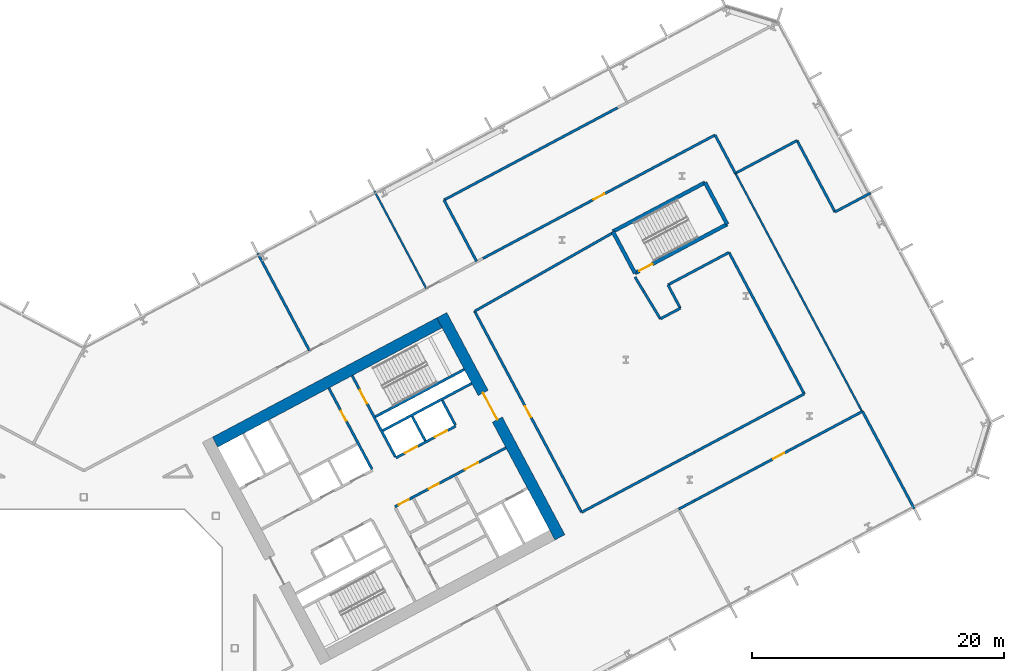
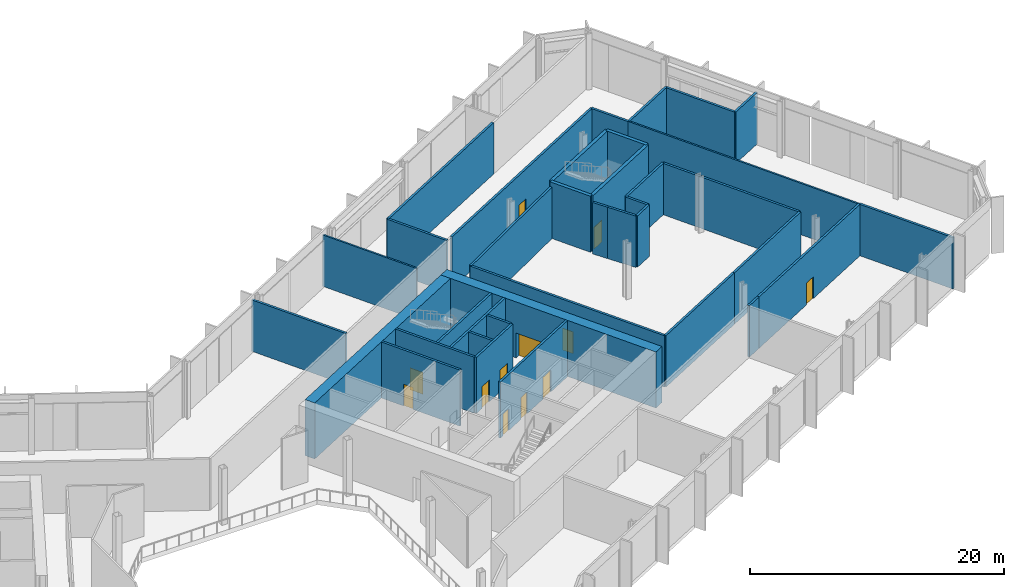
# One storey, part 16 of 31: 37 walls, 12 doors, 12 openings.
"""IFC4 building model written with IfcOpenShell, lengths in metres."""

from ifc_helpers import new_model, si_unit, direction, frame, frame_2d, origin, place, context, subcontext, project, spatial, rectangle, extrude, material, layer, layer_set, type_object, element, fill, save


model = new_model("IFC4")

# Units and contexts
model_context = context("Model", 3, precision=1e-05, world=origin(), true_north=direction((0.0, 1.0)))
body_context = subcontext(model_context, "Body", "Model", "MODEL_VIEW")
ifc_project = project(units=[si_unit("LENGTHUNIT", "METRE"), si_unit("AREAUNIT", "SQUARE_METRE"), si_unit("VOLUMEUNIT", "CUBIC_METRE"), si_unit("PLANEANGLEUNIT", "RADIAN"), si_unit("MASSUNIT", "GRAM", prefix="KILO")], contexts=[model_context])

# Site, building, storey
site_placement = place(None, origin())
site = spatial("IfcSite", under=ifc_project, at=site_placement, CompositionType="ELEMENT")
building_placement = place(site_placement, origin())
building = spatial("IfcBuilding", under=site, at=building_placement, Name="Cormorant Relay Tower", CompositionType="ELEMENT")
storey_placement = place(building_placement, frame((0.0, 0.0, 50.0)))
storey = spatial("IfcBuildingStorey", under=building, at=storey_placement, Name="L09", CompositionType="ELEMENT", Elevation=50.0)

# Wall
ifc_material_1 = material(Name="Concrete 40 MPa", Category="concrete")
ifc_layer_1 = layer(ifc_material_1, 0.199951171875)
ifc_layer_set_1 = layer_set([ifc_layer_1], Name="Core internal wall 200")
wall_type_1 = type_object("IfcWallType", Name="Core internal wall 200", PredefinedType="SOLIDWALL", material=ifc_layer_set_1)
wall_1_placement = place(storey_placement, frame((27.144287109375, 16.471435546875, 0.0), z_axis=(0.0, 0.0, 1.0), x_axis=(-0.469401318492, 0.882984938828, 0.0)))
element("IfcWall", 1, at=wall_1_placement, inside=storey, type_object=wall_type_1, Name="L09 core B shaft and room wall", PredefinedType="SOLIDWALL", context=body_context, shape_type="SweptSolid", body=[
    extrude(rectangle(XDim=2.199951171875, YDim=0.199951171875, at=frame_2d((1.10009765625, 0.0))), origin(), (0.0, 0.0, 1.0), 5.39990234375),
])

# Wall, opening, door
ifc_material_2 = material(Name="Concrete 50 MPa", Category="concrete")
ifc_layer_2 = layer(ifc_material_2, 0.199951171875)
ifc_layer_set_2 = layer_set([ifc_layer_2], Name="Core shaft wall 200")
wall_type_2 = type_object("IfcWallType", Name="Core shaft wall 200", PredefinedType="SHEAR", material=ifc_layer_set_2)
wall_2_placement = place(storey_placement, frame((22.90625, 14.218017578125, 0.0), z_axis=(0.0, 0.0, 1.0), x_axis=(-0.469480409012, 0.88294288918, 0.0)))
wall_2 = element("IfcWall", 2, at=wall_2_placement, inside=storey, type_object=wall_type_2, Name="L09 core B shaft wall", PredefinedType="SHEAR", context=body_context, shape_type="SweptSolid", body=[
    extrude(rectangle(XDim=7.300048828125, YDim=0.199951171875, at=frame_2d((3.64990234375, 0.0))), origin(), (0.0, 0.0, 1.0), 5.39990234375),
])
opening_1_placement = place(wall_2_placement, frame((4.35009765625, 0.0, 0.0)))
opening_1 = element("IfcOpeningElement", 3, at=opening_1_placement, cuts=wall_2, Name="Opening CDD-097", PredefinedType="OPENING", context=body_context, shape_type="SweptSolid", body=[
    extrude(rectangle(XDim=0.89990234375, YDim=2.10009765625, at=frame_2d((0.449951171875, 1.050048828125))), frame((0.0, 0.10986328125, 0.0), z_axis=(0.0, -1.0, 0.0), x_axis=(1.0, 0.0, 0.0)), (0.0, 0.0, 1.0), 0.219970703125),
])
ifc_material_3 = material(Name="Steel fire door", Category="steel")
door_type_1 = type_object("IfcDoorType", Name="Core room door 900x2100", OperationType="SINGLE_SWING_LEFT", PredefinedType="DOOR", material=ifc_material_3)
door_1_placement = place(opening_1_placement, origin())
door_1 = element("IfcDoor", 4, at=door_1_placement, inside=storey, type_object=door_type_1, Name="Core room door 900x2100", OperationType="SINGLE_SWING_LEFT", OverallHeight=2.10009765625, OverallWidth=0.89990234375, PredefinedType="DOOR", context=body_context, shape_type="SweptSolid", body=[
    extrude(rectangle(XDim=0.89990234375, YDim=2.10009765625, at=frame_2d((0.449951171875, 1.050048828125))), frame((0.0, 0.02490234375, 0.0), z_axis=(0.0, -1.0, 0.0), x_axis=(1.0, 0.0, 0.0)), (0.0, 0.0, 1.0), 0.050048828125),
])
fill(opening_1, door_1)

wall_3_placement = place(storey_placement, frame((24.760498046875, 15.2041015625, 0.0), z_axis=(0.0, 0.0, 1.0), x_axis=(-0.469494272526, 0.882935517501, 0.0)))
wall_3 = element("IfcWall", 5, at=wall_3_placement, inside=storey, type_object=wall_type_2, Name="L09 core B shaft wall", PredefinedType="SHEAR", context=body_context, shape_type="SweptSolid", body=[
    extrude(rectangle(XDim=7.2998046875, YDim=0.199951171875, at=frame_2d((3.64990234375, 0.0))), origin(), (0.0, 0.0, 1.0), 5.39990234375),
])
opening_2_placement = place(wall_3_placement, frame((4.800048828125, 0.0, 0.0)))
opening_2 = element("IfcOpeningElement", 6, at=opening_2_placement, cuts=wall_3, Name="Opening CDB-022", PredefinedType="OPENING", context=body_context, shape_type="SweptSolid", body=[
    extrude(rectangle(XDim=1.199951171875, YDim=2.10009765625, at=frame_2d((0.60009765625, 1.050048828125))), frame((0.0, 0.10986328125, 0.0), z_axis=(0.0, -1.0, 0.0), x_axis=(1.0, 0.0, 0.0)), (0.0, 0.0, 1.0), 0.219970703125),
])
ifc_material_4 = material(Name="Steel fire door", Category="steel")
door_type_2 = type_object("IfcDoorType", Name="Core stair door 1200x2100", OperationType="SINGLE_SWING_LEFT", PredefinedType="DOOR", material=ifc_material_4)
door_2_placement = place(opening_2_placement, frame((1.199951171875, 0.0, 0.0), z_axis=(0.0, 0.0, 1.0), x_axis=(-1.0, 0.0, 0.0)))
door_2 = element("IfcDoor", 7, at=door_2_placement, inside=storey, type_object=door_type_2, Name="Core stair door 1200x2100", OperationType="SINGLE_SWING_RIGHT", OverallHeight=2.10009765625, OverallWidth=1.199951171875, PredefinedType="DOOR", context=body_context, shape_type="SweptSolid", body=[
    extrude(rectangle(XDim=1.199951171875, YDim=2.10009765625, at=frame_2d((0.60009765625, 1.050048828125))), frame((0.0, 0.02490234375, 0.0), z_axis=(0.0, -1.0, 0.0), x_axis=(1.0, 0.0, 0.0)), (0.0, 0.0, 1.0), 0.050048828125),
])
fill(opening_2, door_2)

# Wall
wall_4_placement = place(storey_placement, frame((29.5283203125, 17.739013671875, 0.0), z_axis=(0.0, 0.0, 1.0), x_axis=(-0.469401318492, 0.882984938828, 0.0)))
element("IfcWall", 8, at=wall_4_placement, inside=storey, type_object=wall_type_2, Name="L09 core B shaft wall", PredefinedType="SHEAR", context=body_context, shape_type="SweptSolid", body=[
    extrude(rectangle(XDim=2.199951171875, YDim=0.199951171875, at=frame_2d((1.10009765625, 0.0))), origin(), (0.0, 0.0, 1.0), 5.39990234375),
])

# Wall, openings, doors
wall_5_placement = place(storey_placement, frame((24.72607421875, 11.2216796875, 0.0), z_axis=(0.0, 0.0, 1.0), x_axis=(0.882940221191, 0.469485426614, 0.0)))
wall_5 = element("IfcWall", 9, at=wall_5_placement, inside=storey, type_object=wall_type_2, Name="L09 core B shaft wall", PredefinedType="SHEAR", context=body_context, shape_type="SweptSolid", body=[
    extrude(rectangle(XDim=10.0, YDim=0.199951171875, at=frame_2d((5.0, 0.0))), origin(), (0.0, 0.0, 1.0), 5.39990234375),
])
opening_3_placement = place(wall_5_placement, frame((6.300048828125, 0.0, 0.0)))
opening_3 = element("IfcOpeningElement", 10, at=opening_3_placement, cuts=wall_5, Name="Opening CDC-016", PredefinedType="OPENING", context=body_context, shape_type="SweptSolid", body=[
    extrude(rectangle(XDim=1.199951171875, YDim=2.10009765625, at=frame_2d((0.60009765625, 1.050048828125))), frame((0.0, 0.10986328125, 0.0), z_axis=(0.0, -1.0, 0.0), x_axis=(1.0, 0.0, 0.0)), (0.0, 0.0, 1.0), 0.219970703125),
])
opening_4_placement = place(wall_5_placement, frame((0.360107421875, 0.0, 0.0)))
opening_4 = element("IfcOpeningElement", 11, at=opening_4_placement, cuts=wall_5, Name="Opening CDD-074", PredefinedType="OPENING", context=body_context, shape_type="SweptSolid", body=[
    extrude(rectangle(XDim=0.89990234375, YDim=2.10009765625, at=frame_2d((0.449951171875, 1.050048828125))), frame((0.0, 0.10986328125, 0.0), z_axis=(0.0, -1.0, 0.0), x_axis=(1.0, 0.0, 0.0)), (0.0, 0.0, 1.0), 0.219970703125),
])
opening_5_placement = place(wall_5_placement, frame((3.06005859375, 0.0, 0.0)))
opening_5 = element("IfcOpeningElement", 12, at=opening_5_placement, cuts=wall_5, Name="Opening CDD-075", PredefinedType="OPENING", context=body_context, shape_type="SweptSolid", body=[
    extrude(rectangle(XDim=0.89990234375, YDim=2.10009765625, at=frame_2d((0.449951171875, 1.050048828125))), frame((0.0, 0.10986328125, 0.0), z_axis=(0.0, -1.0, 0.0), x_axis=(1.0, 0.0, 0.0)), (0.0, 0.0, 1.0), 0.219970703125),
])
ifc_material_5 = material(Name="Steel fire door", Category="steel")
door_type_3 = type_object("IfcDoorType", Name="Core lobby door 1200x2100", OperationType="SINGLE_SWING_LEFT", PredefinedType="DOOR", material=ifc_material_5)
door_3_placement = place(opening_3_placement, frame((1.199951171875, 0.0, 0.0), z_axis=(0.0, 0.0, 1.0), x_axis=(-1.0, 0.0, 0.0)))
door_3 = element("IfcDoor", 13, at=door_3_placement, inside=storey, type_object=door_type_3, Name="Core lobby door 1200x2100", OperationType="SINGLE_SWING_RIGHT", OverallHeight=2.10009765625, OverallWidth=1.199951171875, PredefinedType="DOOR", context=body_context, shape_type="SweptSolid", body=[
    extrude(rectangle(XDim=1.199951171875, YDim=2.10009765625, at=frame_2d((0.60009765625, 1.050048828125))), frame((0.0, 0.02490234375, 0.0), z_axis=(0.0, -1.0, 0.0), x_axis=(1.0, 0.0, 0.0)), (0.0, 0.0, 1.0), 0.050048828125),
])
fill(opening_3, door_3)
door_4_placement = place(opening_4_placement, frame((0.89990234375, 0.0, 0.0), z_axis=(0.0, 0.0, 1.0), x_axis=(-1.0, 0.0, 0.0)))
door_4 = element("IfcDoor", 14, at=door_4_placement, inside=storey, type_object=door_type_1, Name="Core room door 900x2100", OperationType="SINGLE_SWING_RIGHT", OverallHeight=2.10009765625, OverallWidth=0.89990234375, PredefinedType="DOOR", context=body_context, shape_type="SweptSolid", body=[
    extrude(rectangle(XDim=0.89990234375, YDim=2.10009765625, at=frame_2d((0.449951171875, 1.050048828125))), frame((0.0, 0.02490234375, 0.0), z_axis=(0.0, -1.0, 0.0), x_axis=(1.0, 0.0, 0.0)), (0.0, 0.0, 1.0), 0.050048828125),
])
fill(opening_4, door_4)
door_5_placement = place(opening_5_placement, frame((0.89990234375, 0.0, 0.0), z_axis=(0.0, 0.0, 1.0), x_axis=(-1.0, 0.0, 0.0)))
door_5 = element("IfcDoor", 15, at=door_5_placement, inside=storey, type_object=door_type_1, Name="Core room door 900x2100", OperationType="SINGLE_SWING_RIGHT", OverallHeight=2.10009765625, OverallWidth=0.89990234375, PredefinedType="DOOR", context=body_context, shape_type="SweptSolid", body=[
    extrude(rectangle(XDim=0.89990234375, YDim=2.10009765625, at=frame_2d((0.449951171875, 1.050048828125))), frame((0.0, 0.02490234375, 0.0), z_axis=(0.0, -1.0, 0.0), x_axis=(1.0, 0.0, 0.0)), (0.0, 0.0, 1.0), 0.050048828125),
])
fill(opening_5, door_5)

wall_6_placement = place(storey_placement, frame((24.807373046875, 15.11572265625, 0.0), z_axis=(0.0, 0.0, 1.0), x_axis=(0.882942972946, 0.469480251476, 0.0)))
wall_6 = element("IfcWall", 16, at=wall_6_placement, inside=storey, type_object=wall_type_2, Name="L09 core B shaft wall", PredefinedType="SHEAR", context=body_context, shape_type="SweptSolid", body=[
    extrude(rectangle(XDim=5.39990234375, YDim=0.199951171875, at=frame_2d((2.699951171875, 0.0))), origin(), (0.0, 0.0, 1.0), 5.39990234375),
])
opening_6_placement = place(wall_6_placement, frame((0.800048828125, 0.0, 0.0)))
opening_6 = element("IfcOpeningElement", 17, at=opening_6_placement, cuts=wall_6, Name="Opening LD1-022", PredefinedType="OPENING", context=body_context, shape_type="SweptSolid", body=[
    extrude(rectangle(XDim=1.10009765625, YDim=2.10009765625, at=frame_2d((0.550048828125, 1.050048828125))), frame((0.0, 0.10986328125, 0.0), z_axis=(0.0, -1.0, 0.0), x_axis=(1.0, 0.0, 0.0)), (0.0, 0.0, 1.0), 0.219970703125),
])
opening_7_placement = place(wall_6_placement, frame((3.5, 0.0, 0.0)))
opening_7 = element("IfcOpeningElement", 18, at=opening_7_placement, cuts=wall_6, Name="Opening LD1-023", PredefinedType="OPENING", context=body_context, shape_type="SweptSolid", body=[
    extrude(rectangle(XDim=1.10009765625, YDim=2.10009765625, at=frame_2d((0.550048828125, 1.050048828125))), frame((0.0, 0.10986328125, 0.0), z_axis=(0.0, -1.0, 0.0), x_axis=(1.0, 0.0, 0.0)), (0.0, 0.0, 1.0), 0.219970703125),
])
ifc_material_6 = material(Name="Stainless steel 316", Category="steel")
door_type_4 = type_object("IfcDoorType", Name="Lift landing door 1100x2100", OperationType="DOUBLE_DOOR_SLIDING", PredefinedType="DOOR", material=ifc_material_6)
door_6_placement = place(opening_6_placement, origin())
door_6 = element("IfcDoor", 19, at=door_6_placement, inside=storey, type_object=door_type_4, Name="LR3 landing door", OperationType="DOUBLE_DOOR_SLIDING", OverallHeight=2.10009765625, OverallWidth=1.10009765625, PredefinedType="DOOR", context=body_context, shape_type="SweptSolid", body=[
    extrude(rectangle(XDim=1.10009765625, YDim=2.10009765625, at=frame_2d((0.550048828125, 1.050048828125))), frame((0.0, 0.02490234375, 0.0), z_axis=(0.0, -1.0, 0.0), x_axis=(1.0, 0.0, 0.0)), (0.0, 0.0, 1.0), 0.050048828125),
])
fill(opening_6, door_6)
door_7_placement = place(opening_7_placement, origin())
door_7 = element("IfcDoor", 20, at=door_7_placement, inside=storey, type_object=door_type_4, Name="LR4 landing door", OperationType="DOUBLE_DOOR_SLIDING", OverallHeight=2.10009765625, OverallWidth=1.10009765625, PredefinedType="DOOR", context=body_context, shape_type="SweptSolid", body=[
    extrude(rectangle(XDim=1.10009765625, YDim=2.10009765625, at=frame_2d((0.550048828125, 1.050048828125))), frame((0.0, 0.02490234375, 0.0), z_axis=(0.0, -1.0, 0.0), x_axis=(1.0, 0.0, 0.0)), (0.0, 0.0, 1.0), 0.050048828125),
])
fill(opening_7, door_7)

# Walls
wall_7_placement = place(storey_placement, frame((23.76904296875, 17.28173828125, 0.0), z_axis=(0.0, 0.0, 1.0), x_axis=(0.882940221191, 0.469485426614, 0.0)))
element("IfcWall", 21, at=wall_7_placement, inside=storey, type_object=wall_type_2, Name="L09 core B shaft wall", PredefinedType="SHEAR", context=body_context, shape_type="SweptSolid", body=[
    extrude(rectangle(XDim=8.0, YDim=0.199951171875, at=frame_2d((4.0, 0.0))), origin(), (0.0, 0.0, 1.0), 5.39990234375),
])
wall_8_placement = place(storey_placement, frame((23.18212890625, 18.385498046875, 0.0), z_axis=(0.0, 0.0, 1.0), x_axis=(0.88295287151, 0.469461634952, 0.0)))
element("IfcWall", 22, at=wall_8_placement, inside=storey, type_object=wall_type_2, Name="L09 core B shaft wall", PredefinedType="SHEAR", context=body_context, shape_type="SweptSolid", body=[
    extrude(rectangle(XDim=7.999755859375, YDim=0.199951171875, at=frame_2d((4.0, 0.0))), origin(), (0.0, 0.0, 1.0), 5.39990234375),
])

# Wall, opening, door
ifc_material_7 = material(Name="Concrete 70 MPa", Category="concrete")
ifc_layer_3 = layer(ifc_material_7, 0.89990234375)
ifc_layer_set_3 = layer_set([ifc_layer_3], Name="Core wall 900")
wall_type_3 = type_object("IfcWallType", Name="Core wall 900", PredefinedType="SHEAR", material=ifc_layer_set_3)
wall_9_placement = place(storey_placement, frame((37.849365234375, 8.799072265625, 0.0), z_axis=(0.0, 0.0, 1.0), x_axis=(-0.469465789982, 0.882950662289, 0.0)))
wall_9 = element("IfcWall", 23, at=wall_9_placement, inside=storey, type_object=wall_type_3, Name="L09 core B wall", PredefinedType="SHEAR", context=body_context, shape_type="SweptSolid", body=[
    extrude(rectangle(XDim=20.000244140625, YDim=0.89990234375, at=frame_2d((10.0, 0.0))), origin(), (0.0, 0.0, 1.0), 5.39990234375),
])
opening_8_placement = place(wall_9_placement, frame((10.60009765625, 0.0, 0.0)))
opening_8 = element("IfcOpeningElement", 24, at=opening_8_placement, cuts=wall_9, Name="Opening CDA-016", PredefinedType="OPENING", context=body_context, shape_type="SweptSolid", body=[
    extrude(rectangle(XDim=2.39990234375, YDim=2.39990234375, at=frame_2d((1.199951171875, 1.199951171875))), frame((0.0, 0.4599609375, 0.0), z_axis=(0.0, -1.0, 0.0), x_axis=(1.0, 0.0, 0.0)), (0.0, 0.0, 1.0), 0.919921875),
])
ifc_material_8 = material(Name="Steel fire door", Category="steel")
door_type_5 = type_object("IfcDoorType", Name="Core lobby door 2400x2400", OperationType="DOUBLE_DOOR_SINGLE_SWING", PredefinedType="DOOR", material=ifc_material_8)
door_8_placement = place(opening_8_placement, origin())
door_8 = element("IfcDoor", 25, at=door_8_placement, inside=storey, type_object=door_type_5, Name="Core lobby door 2400x2400", OperationType="DOUBLE_DOOR_SINGLE_SWING", OverallHeight=2.39990234375, OverallWidth=2.39990234375, PredefinedType="DOOR", context=body_context, shape_type="SweptSolid", body=[
    extrude(rectangle(XDim=2.39990234375, YDim=2.39990234375, at=frame_2d((1.199951171875, 1.199951171875))), frame((0.0, 0.02490234375, 0.0), z_axis=(0.0, -1.0, 0.0), x_axis=(1.0, 0.0, 0.0)), (0.0, 0.0, 1.0), 0.050048828125),
])
fill(opening_8, door_8)

# Walls
wall_10_placement = place(storey_placement, frame((10.4384765625, 16.3662109375, 0.0), z_axis=(0.0, 0.0, 1.0), x_axis=(0.88294509198, 0.469476266226, 0.0)))
element("IfcWall", 26, at=wall_10_placement, inside=storey, type_object=wall_type_3, Name="L09 core B wall", PredefinedType="SHEAR", context=body_context, shape_type="SweptSolid", body=[
    extrude(rectangle(XDim=20.199951171875, YDim=0.89990234375, at=frame_2d((10.10009765625, 0.0))), origin(), (0.0, 0.0, 1.0), 5.39990234375),
])
ifc_material_9 = material(Name="Fire-rated gypsum board partition")
ifc_layer_4 = layer(ifc_material_9, 0.199951171875)
ifc_layer_set_4 = layer_set([ifc_layer_4], Name="Fire-rated gypsum partition 200")
wall_type_4 = type_object("IfcWallType", Name="Fire-rated gypsum partition 200", PredefinedType="PARTITIONING", material=ifc_layer_set_4)
wall_11_placement = place(storey_placement, frame((13.833984375, 31.365966796875, 0.0), z_axis=(0.0, 0.0, 1.0), x_axis=(0.469374180568, -0.882999365014, 0.0)))
element("IfcWall", 27, at=wall_11_placement, inside=storey, type_object=wall_type_4, Name="wall/L09/part/51", PredefinedType="PARTITIONING", context=body_context, shape_type="SweptSolid", body=[
    extrude(rectangle(XDim=8.749755859375, YDim=0.199951171875, at=frame_2d((4.375, 0.0))), origin(), (0.0, 0.0, 1.0), 4.949951171875),
])
wall_12_placement = place(storey_placement, frame((31.22998046875, 30.72607421875, 0.0), z_axis=(0.0, 0.0, 1.0), x_axis=(-0.469403649121, 0.882983699845, 0.0)))
element("IfcWall", 28, at=wall_12_placement, inside=storey, type_object=wall_type_4, Name="wall/L09/part/60", PredefinedType="PARTITIONING", context=body_context, shape_type="SweptSolid", body=[
    extrude(rectangle(XDim=5.532470703125, YDim=0.199951171875, at=frame_2d((2.76611328125, 0.0))), origin(), (0.0, 0.0, 1.0), 4.949951171875),
])
wall_13_placement = place(storey_placement, frame((28.633056640625, 35.611083984375, 0.0), z_axis=(0.0, 0.0, 1.0), x_axis=(0.882944068981, 0.469478190176, 0.0)))
element("IfcWall", 29, at=wall_13_placement, inside=storey, type_object=wall_type_4, Name="wall/L09/part/61", PredefinedType="PARTITIONING", context=body_context, shape_type="SweptSolid", body=[
    extrude(rectangle(XDim=15.62158203125, YDim=0.199951171875, at=frame_2d((7.810791015625, 0.0))), origin(), (0.0, 0.0, 1.0), 4.949951171875),
])

# Wall, opening, door
wall_14_placement = place(storey_placement, frame((31.73095703125, 30.971923828125, 0.0), z_axis=(0.0, 0.0, 1.0), x_axis=(0.88293515824, 0.469494948156, 0.0)))
wall_14 = element("IfcWall", 30, at=wall_14_placement, inside=storey, type_object=wall_type_4, Name="wall/L09/part/62", PredefinedType="PARTITIONING", context=body_context, shape_type="SweptSolid", body=[
    extrude(rectangle(XDim=20.892822265625, YDim=0.199951171875, at=frame_2d((10.4462890625, 0.0))), origin(), (0.0, 0.0, 1.0), 4.949951171875),
])
opening_9_placement = place(wall_14_placement, frame((9.949951171875, 0.0, 0.0)))
opening_9 = element("IfcOpeningElement", 31, at=opening_9_placement, cuts=wall_14, Name="Opening FD1-057", PredefinedType="OPENING", context=body_context, shape_type="SweptSolid", body=[
    extrude(rectangle(XDim=1.0, YDim=2.10009765625, at=frame_2d((0.5, 1.050048828125))), frame((0.0, 0.10986328125, 0.0), z_axis=(0.0, -1.0, 0.0), x_axis=(1.0, 0.0, 0.0)), (0.0, 0.0, 1.0), 0.219970703125),
])
ifc_material_10 = material(Name="Fire-rated steel door", Category="steel")
door_type_6 = type_object("IfcDoorType", Name="Fire door 1000 x 2100", OperationType="SINGLE_SWING_LEFT", PredefinedType="DOOR", material=ifc_material_10)
door_9_placement = place(opening_9_placement, origin())
door_9 = element("IfcDoor", 32, at=door_9_placement, inside=storey, type_object=door_type_6, Name="door/L09/7", OperationType="SINGLE_SWING_LEFT", OverallHeight=2.10009765625, OverallWidth=1.0, PredefinedType="DOOR", context=body_context, shape_type="SweptSolid", body=[
    extrude(rectangle(XDim=1.0, YDim=2.10009765625, at=frame_2d((0.5, 1.050048828125))), frame((0.0, 0.02490234375, 0.0), z_axis=(0.0, -1.0, 0.0), x_axis=(1.0, 0.0, 0.0)), (0.0, 0.0, 1.0), 0.050048828125),
])
fill(opening_9, door_9)

# Walls
wall_15_placement = place(storey_placement, frame((50.177978515625, 40.781005859375, 0.0), z_axis=(0.0, 0.0, 1.0), x_axis=(0.469355564401, -0.883009260521, 0.0)))
element("IfcWall", 33, at=wall_15_placement, inside=storey, type_object=wall_type_4, Name="wall/L09/part/63", PredefinedType="PARTITIONING", context=body_context, shape_type="SweptSolid", body=[
    extrude(rectangle(XDim=3.445068359375, YDim=0.199951171875, at=frame_2d((1.72265625, 0.0))), origin(), (0.0, 0.0, 1.0), 4.949951171875),
])
wall_16_placement = place(storey_placement, frame((48.541015625, 15.56005859375, 0.0), z_axis=(0.0, 0.0, 1.0), x_axis=(-0.882933406877, -0.469498241765, 0.0)))
element("IfcWall", 34, at=wall_16_placement, inside=storey, type_object=wall_type_4, Name="wall/L09/part/66", PredefinedType="PARTITIONING", context=body_context, shape_type="SweptSolid", body=[
    extrude(rectangle(XDim=10.1640625, YDim=0.199951171875, at=frame_2d((5.08203125, 0.0))), origin(), (0.0, 0.0, 1.0), 4.949951171875),
])

# Wall, opening, door
wall_17_placement = place(storey_placement, frame((39.56689453125, 10.7880859375, 0.0), z_axis=(0.0, 0.0, 1.0), x_axis=(-0.469474056812, 0.882946266757, 0.0)))
wall_17 = element("IfcWall", 35, at=wall_17_placement, inside=storey, type_object=wall_type_4, Name="wall/L09/part/67", PredefinedType="PARTITIONING", context=body_context, shape_type="SweptSolid", body=[
    extrude(rectangle(XDim=18.1005859375, YDim=0.199951171875, at=frame_2d((9.05029296875, 0.0))), origin(), (0.0, 0.0, 1.0), 4.949951171875),
])
opening_10_placement = place(wall_17_placement, frame((8.550048828125, 0.0, 0.0)))
opening_10 = element("IfcOpeningElement", 36, at=opening_10_placement, cuts=wall_17, Name="Opening FD1-053", PredefinedType="OPENING", context=body_context, shape_type="SweptSolid", body=[
    extrude(rectangle(XDim=1.0, YDim=2.10009765625, at=frame_2d((0.5, 1.050048828125))), frame((0.0, 0.10986328125, 0.0), z_axis=(0.0, -1.0, 0.0), x_axis=(1.0, 0.0, 0.0)), (0.0, 0.0, 1.0), 0.219970703125),
])
door_10_placement = place(opening_10_placement, origin())
door_10 = element("IfcDoor", 37, at=door_10_placement, inside=storey, type_object=door_type_6, Name="door/L09/21", OperationType="SINGLE_SWING_RIGHT", OverallHeight=2.10009765625, OverallWidth=1.0, PredefinedType="DOOR", context=body_context, shape_type="SweptSolid", body=[
    extrude(rectangle(XDim=1.0, YDim=2.10009765625, at=frame_2d((0.5, 1.050048828125))), frame((0.0, 0.02490234375, 0.0), z_axis=(0.0, -1.0, 0.0), x_axis=(1.0, 0.0, 0.0)), (0.0, 0.0, 1.0), 0.050048828125),
])
fill(opening_10, door_10)

# Walls
wall_18_placement = place(storey_placement, frame((31.069091796875, 26.77001953125, 0.0), z_axis=(0.0, 0.0, 1.0), x_axis=(0.86954617394, 0.493851649168, 0.0)))
element("IfcWall", 38, at=wall_18_placement, inside=storey, type_object=wall_type_4, Name="wall/L09/part/68", PredefinedType="PARTITIONING", context=body_context, shape_type="SweptSolid", body=[
    extrude(rectangle(XDim=12.55029296875, YDim=0.199951171875, at=frame_2d((6.275146484375, 0.0))), origin(), (0.0, 0.0, 1.0), 4.949951171875),
])
wall_19_placement = place(storey_placement, frame((43.81591796875, 29.490966796875, 0.0), z_axis=(0.0, 0.0, 1.0), x_axis=(0.518473208291, -0.855093873376, 0.0)))
element("IfcWall", 39, at=wall_19_placement, inside=storey, type_object=wall_type_4, Name="wall/L09/part/71", PredefinedType="PARTITIONING", context=body_context, shape_type="SweptSolid", body=[
    extrude(rectangle(XDim=1.324951171875, YDim=0.199951171875, at=frame_2d((0.66259765625, 0.0))), origin(), (0.0, 0.0, 1.0), 4.949951171875),
])
wall_20_placement = place(storey_placement, frame((45.8310546875, 26.1669921875, 0.0), z_axis=(0.0, 0.0, 1.0), x_axis=(-0.518386189645, 0.855146629757, 0.0)))
element("IfcWall", 40, at=wall_20_placement, inside=storey, type_object=wall_type_4, Name="wall/L09/part/72", PredefinedType="PARTITIONING", context=body_context, shape_type="SweptSolid", body=[
    extrude(rectangle(XDim=2.56201171875, YDim=0.199951171875, at=frame_2d((1.281005859375, 0.0))), origin(), (0.0, 0.0, 1.0), 4.949951171875),
])
wall_21_placement = place(storey_placement, frame((47.419921875, 27.011962890625, 0.0), z_axis=(0.0, 0.0, 1.0), x_axis=(-0.882911879422, -0.469538723829, 0.0)))
element("IfcWall", 41, at=wall_21_placement, inside=storey, type_object=wall_type_4, Name="wall/L09/part/73", PredefinedType="PARTITIONING", context=body_context, shape_type="SweptSolid", body=[
    extrude(rectangle(XDim=1.799560546875, YDim=0.199951171875, at=frame_2d((0.89990234375, 0.0))), origin(), (0.0, 0.0, 1.0), 4.949951171875),
])
wall_22_placement = place(storey_placement, frame((46.43408203125, 28.865966796875, 0.0), z_axis=(0.0, 0.0, 1.0), x_axis=(0.882942083458, 0.469481924316, 0.0)))
element("IfcWall", 42, at=wall_22_placement, inside=storey, type_object=wall_type_4, Name="wall/L09/part/74", PredefinedType="PARTITIONING", context=body_context, shape_type="SweptSolid", body=[
    extrude(rectangle(XDim=5.499755859375, YDim=0.199951171875, at=frame_2d((2.75, 0.0))), origin(), (0.0, 0.0, 1.0), 4.949951171875),
])
wall_23_placement = place(storey_placement, frame((51.2900390625, 31.447998046875, 0.0), z_axis=(0.0, 0.0, 1.0), x_axis=(0.469459757109, -0.882953869947, 0.0)))
element("IfcWall", 43, at=wall_23_placement, inside=storey, type_object=wall_type_4, Name="wall/L09/part/75", PredefinedType="PARTITIONING", context=body_context, shape_type="SweptSolid", body=[
    extrude(rectangle(XDim=12.738037109375, YDim=0.199951171875, at=frame_2d((6.369140625, 0.0))), origin(), (0.0, 0.0, 1.0), 4.949951171875),
])
wall_24_placement = place(storey_placement, frame((57.27001953125, 20.200927734375, 0.0), z_axis=(0.0, 0.0, 1.0), x_axis=(-0.882965394181, -0.469438081837, 0.0)))
element("IfcWall", 44, at=wall_24_placement, inside=storey, type_object=wall_type_4, Name="wall/L09/part/76", PredefinedType="PARTITIONING", context=body_context, shape_type="SweptSolid", body=[
    extrude(rectangle(XDim=9.885986328125, YDim=0.199951171875, at=frame_2d((4.94287109375, 0.0))), origin(), (0.0, 0.0, 1.0), 4.949951171875),
])
wall_25_placement = place(storey_placement, frame((47.419921875, 27.011962890625, 0.0), z_axis=(0.0, 0.0, 1.0), x_axis=(-0.469489562011, 0.882938022266, 0.0)))
element("IfcWall", 45, at=wall_25_placement, inside=storey, type_object=wall_type_4, Name="wall/L09/part/77", PredefinedType="PARTITIONING", context=body_context, shape_type="SweptSolid", body=[
    extrude(rectangle(XDim=2.099853515625, YDim=0.199951171875, at=frame_2d((1.0498046875, 0.0))), origin(), (0.0, 0.0, 1.0), 4.949951171875),
])
wall_26_placement = place(storey_placement, frame((48.575927734375, 11.72802734375, 0.0), z_axis=(0.0, 0.0, 1.0), x_axis=(-0.882918621496, -0.469526045939, 0.0)))
element("IfcWall", 46, at=wall_26_placement, inside=storey, type_object=wall_type_4, Name="wall/L09/part/78", PredefinedType="PARTITIONING", context=body_context, shape_type="SweptSolid", body=[
    extrude(rectangle(XDim=1.44384765625, YDim=0.199951171875, at=frame_2d((0.721923828125, 0.0))), origin(), (0.0, 0.0, 1.0), 4.949951171875),
])

# Wall, opening, door
wall_27_placement = place(storey_placement, frame((48.575927734375, 11.72802734375, 0.0), z_axis=(0.0, 0.0, 1.0), x_axis=(0.88294872662, 0.469469430486, 0.0)))
wall_27 = element("IfcWall", 47, at=wall_27_placement, inside=storey, type_object=wall_type_4, Name="wall/L09/part/79", PredefinedType="PARTITIONING", context=body_context, shape_type="SweptSolid", body=[
    extrude(rectangle(XDim=15.09130859375, YDim=0.199951171875, at=frame_2d((7.545654296875, 0.0))), origin(), (0.0, 0.0, 1.0), 4.949951171875),
])
opening_11_placement = place(wall_27_placement, frame((7.050048828125, 0.0, 0.0)))
opening_11 = element("IfcOpeningElement", 48, at=opening_11_placement, cuts=wall_27, Name="Opening FD1-056", PredefinedType="OPENING", context=body_context, shape_type="SweptSolid", body=[
    extrude(rectangle(XDim=1.0, YDim=2.10009765625, at=frame_2d((0.5, 1.050048828125))), frame((0.0, 0.10986328125, 0.0), z_axis=(0.0, -1.0, 0.0), x_axis=(1.0, 0.0, 0.0)), (0.0, 0.0, 1.0), 0.219970703125),
])
door_11_placement = place(opening_11_placement, frame((1.0, 0.0, 0.0), z_axis=(0.0, 0.0, 1.0), x_axis=(-1.0, 0.0, 0.0)))
door_11 = element("IfcDoor", 49, at=door_11_placement, inside=storey, type_object=door_type_6, Name="door/L09/6", OperationType="SINGLE_SWING_RIGHT", OverallHeight=2.10009765625, OverallWidth=1.0, PredefinedType="DOOR", context=body_context, shape_type="SweptSolid", body=[
    extrude(rectangle(XDim=1.0, YDim=2.10009765625, at=frame_2d((0.5, 1.050048828125))), frame((0.0, 0.02490234375, 0.0), z_axis=(0.0, -1.0, 0.0), x_axis=(1.0, 0.0, 0.0)), (0.0, 0.0, 1.0), 0.050048828125),
])
fill(opening_11, door_11)

# Walls
wall_28_placement = place(storey_placement, frame((61.90087890625, 18.81298828125, 0.0), z_axis=(0.0, 0.0, 1.0), x_axis=(0.469482945701, -0.882941540361, 0.0)))
element("IfcWall", 50, at=wall_28_placement, inside=storey, type_object=wall_type_4, Name="wall/L09/part/80", PredefinedType="PARTITIONING", context=body_context, shape_type="SweptSolid", body=[
    extrude(rectangle(XDim=8.75048828125, YDim=0.199951171875, at=frame_2d((4.375244140625, 0.0))), origin(), (0.0, 0.0, 1.0), 4.949951171875),
])
wall_29_placement = place(storey_placement, frame((62.5419921875, 36.166015625, 0.0), z_axis=(0.0, 0.0, 1.0), x_axis=(-0.883094981885, -0.46919425931, 0.0)))
element("IfcWall", 51, at=wall_29_placement, inside=storey, type_object=wall_type_4, Name="wall/L09/part/82", PredefinedType="PARTITIONING", context=body_context, shape_type="SweptSolid", body=[
    extrude(rectangle(XDim=3.201171875, YDim=0.199951171875, at=frame_2d((1.6005859375, 0.0))), origin(), (0.0, 0.0, 1.0), 4.949951171875),
])
wall_30_placement = place(storey_placement, frame((59.715087890625, 34.6640625, 0.0), z_axis=(0.0, 0.0, 1.0), x_axis=(-0.4695430505, 0.882909578455, 0.0)))
element("IfcWall", 52, at=wall_30_placement, inside=storey, type_object=wall_type_4, Name="wall/L09/part/83", PredefinedType="PARTITIONING", context=body_context, shape_type="SweptSolid", body=[
    extrude(rectangle(XDim=6.427734375, YDim=0.199951171875, at=frame_2d((3.2138671875, 0.0))), origin(), (0.0, 0.0, 1.0), 4.949951171875),
])
wall_31_placement = place(storey_placement, frame((56.697021484375, 40.339111328125, 0.0), z_axis=(0.0, 0.0, 1.0), x_axis=(-0.883007442596, -0.469358984488, 0.0)))
element("IfcWall", 53, at=wall_31_placement, inside=storey, type_object=wall_type_4, Name="wall/L09/part/84", PredefinedType="PARTITIONING", context=body_context, shape_type="SweptSolid", body=[
    extrude(rectangle(XDim=5.548095703125, YDim=0.199951171875, at=frame_2d((2.77392578125, 0.0))), origin(), (0.0, 0.0, 1.0), 4.949951171875),
])
ifc_material_11 = material(Name="Gypsum board partition")
ifc_layer_5 = layer(ifc_material_11, 0.14990234375)
ifc_layer_set_5 = layer_set([ifc_layer_5], Name="Gypsum board partition 150")
wall_type_5 = type_object("IfcWallType", Name="Gypsum board partition 150", PredefinedType="PARTITIONING", material=ifc_layer_set_5)
wall_32_placement = place(storey_placement, frame((23.116943359375, 36.302001953125, 0.0), z_axis=(0.0, 0.0, 1.0), x_axis=(0.469482945701, -0.882941540361, 0.0)))
element("IfcWall", 54, at=wall_32_placement, inside=storey, type_object=wall_type_5, Name="wall/L09/part/59", PredefinedType="PARTITIONING", context=body_context, shape_type="SweptSolid", body=[
    extrude(rectangle(XDim=8.75048828125, YDim=0.14990234375, at=frame_2d((4.375244140625, 0.0))), origin(), (0.0, 0.0, 1.0), 4.949951171875),
])
wall_33_placement = place(storey_placement, frame((51.794921875, 37.739013671875, 0.0), z_axis=(0.0, 0.0, 1.0), x_axis=(0.469480492676, -0.882942844694, 0.0)))
element("IfcWall", 55, at=wall_33_placement, inside=storey, type_object=wall_type_5, Name="wall/L09/part/81", PredefinedType="PARTITIONING", context=body_context, shape_type="SweptSolid", body=[
    extrude(rectangle(XDim=21.45556640625, YDim=0.14990234375, at=frame_2d((10.727783203125, 0.0))), origin(), (0.0, 0.0, 1.0), 4.949951171875),
])
ifc_material_12 = material(Name="Concrete 50 MPa", Category="concrete")
ifc_layer_6 = layer(ifc_material_12, 0.300048828125)
ifc_layer_set_6 = layer_set([ifc_layer_6], Name="Remote stair wall 300")
wall_type_6 = type_object("IfcWallType", Name="Remote stair wall 300", PredefinedType="SHEAR", material=ifc_layer_set_6)
wall_34_placement = place(storey_placement, frame((49.384033203125, 37.00390625, 0.0), z_axis=(0.0, 0.0, 1.0), x_axis=(0.46946936446, -0.882948761726, 0.0)))
element("IfcWall", 56, at=wall_34_placement, inside=storey, type_object=wall_type_6, Name="L09 exit stair RB1 wall", PredefinedType="SHEAR", context=body_context, shape_type="SweptSolid", body=[
    extrude(rectangle(XDim=3.75, YDim=0.300048828125, at=frame_2d((1.875, 0.0))), origin(), (0.0, 0.0, 1.0), 5.39990234375),
])

# Wall, opening, door
wall_35_placement = place(storey_placement, frame((51.14453125, 33.69287109375, 0.0), z_axis=(0.0, 0.0, 1.0), x_axis=(-0.882945809314, -0.469474917132, 0.0)))
wall_35 = element("IfcWall", 57, at=wall_35_placement, inside=storey, type_object=wall_type_6, Name="L09 exit stair RB1 wall", PredefinedType="SHEAR", context=body_context, shape_type="SweptSolid", body=[
    extrude(rectangle(XDim=8.30029296875, YDim=0.300048828125, at=frame_2d((4.150146484375, 0.0))), origin(), (0.0, 0.0, 1.0), 5.39990234375),
])
opening_12_placement = place(wall_35_placement, frame((6.72509765625, 0.0, 0.0)))
opening_12 = element("IfcOpeningElement", 58, at=opening_12_placement, cuts=wall_35, Name="Opening CDB-023", PredefinedType="OPENING", context=body_context, shape_type="SweptSolid", body=[
    extrude(rectangle(XDim=1.199951171875, YDim=2.10009765625, at=frame_2d((0.60009765625, 1.050048828125))), frame((0.0, 0.159912109375, 0.0), z_axis=(0.0, -1.0, 0.0), x_axis=(1.0, 0.0, 0.0)), (0.0, 0.0, 1.0), 0.320068359375),
])
door_12_placement = place(opening_12_placement, frame((1.199951171875, 0.0, 0.0), z_axis=(0.0, 0.0, 1.0), x_axis=(-1.0, 0.0, 0.0)))
door_12 = element("IfcDoor", 59, at=door_12_placement, inside=storey, type_object=door_type_2, Name="Exit stair RB1 door", OperationType="SINGLE_SWING_LEFT", OverallHeight=2.10009765625, OverallWidth=1.199951171875, PredefinedType="DOOR", context=body_context, shape_type="SweptSolid", body=[
    extrude(rectangle(XDim=1.199951171875, YDim=2.10009765625, at=frame_2d((0.60009765625, 1.050048828125))), frame((0.0, 0.02490234375, 0.0), z_axis=(0.0, -1.0, 0.0), x_axis=(1.0, 0.0, 0.0)), (0.0, 0.0, 1.0), 0.050048828125),
])
fill(opening_12, door_12)

# Walls
wall_36_placement = place(storey_placement, frame((43.81591796875, 29.796142578125, 0.0), z_axis=(0.0, 0.0, 1.0), x_axis=(-0.46946936446, 0.882948761726, 0.0)))
element("IfcWall", 60, at=wall_36_placement, inside=storey, type_object=wall_type_6, Name="L09 exit stair RB1 wall", PredefinedType="SHEAR", context=body_context, shape_type="SweptSolid", body=[
    extrude(rectangle(XDim=3.75, YDim=0.300048828125, at=frame_2d((1.875, 0.0))), origin(), (0.0, 0.0, 1.0), 5.39990234375),
])
wall_37_placement = place(storey_placement, frame((42.055419921875, 33.107177734375, 0.0), z_axis=(0.0, 0.0, 1.0), x_axis=(0.882945809314, 0.469474917132, 0.0)))
element("IfcWall", 61, at=wall_37_placement, inside=storey, type_object=wall_type_6, Name="L09 exit stair RB1 wall", PredefinedType="SHEAR", context=body_context, shape_type="SweptSolid", body=[
    extrude(rectangle(XDim=8.30029296875, YDim=0.300048828125, at=frame_2d((4.150146484375, 0.0))), origin(), (0.0, 0.0, 1.0), 5.39990234375),
])

save(model, "model.ifc")
